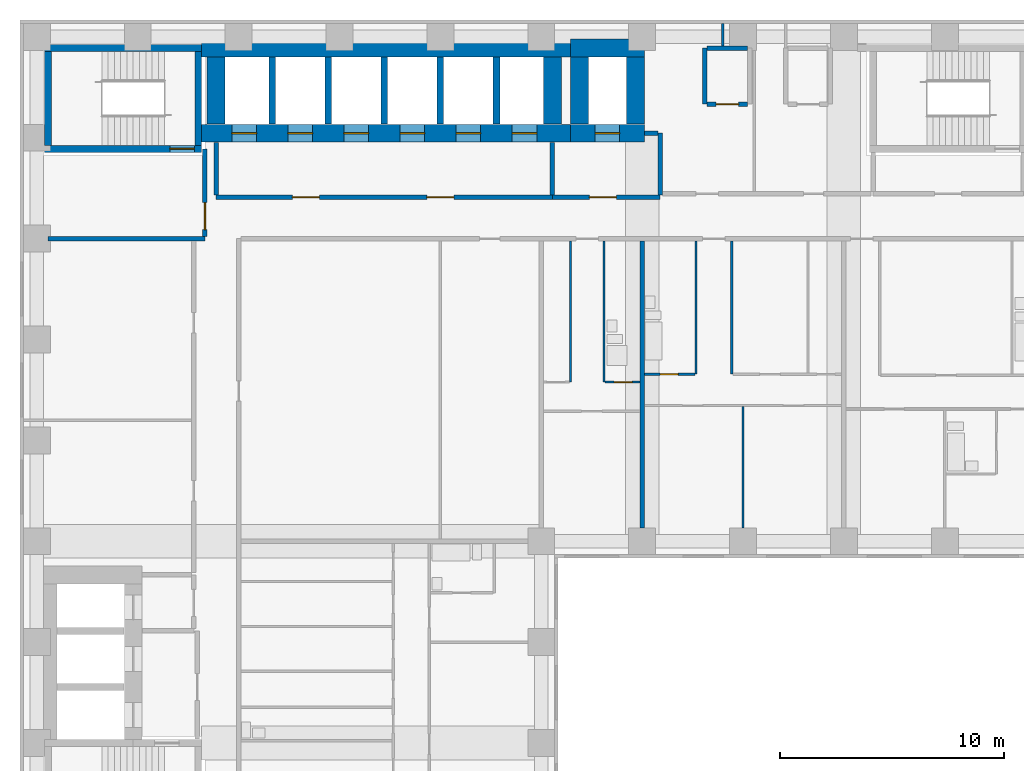
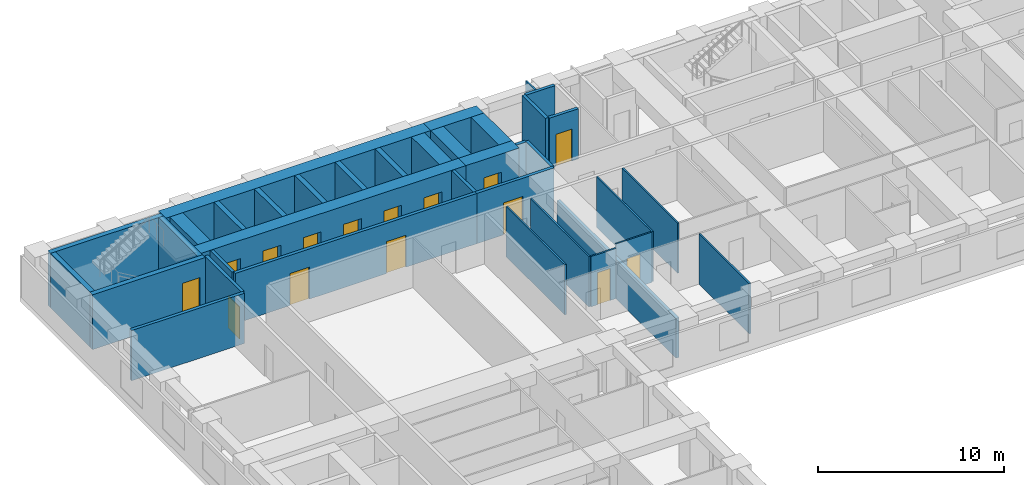
# One storey, part 5 of 12: 37 walls, 15 doors, 15 openings.
"""IFC4 building model written with IfcOpenShell, lengths in metres."""

from ifc_helpers import new_model, si_unit, direction, frame, frame_2d, origin, place, context, subcontext, project, spatial, rectangle, extrude, material, layer, layer_set, type_object, element, fill, save


model = new_model("IFC4")

# Units and contexts
model_context = context("Model", 3, precision=1e-05, world=origin(), true_north=direction((0.0, 1.0)))
body_context = subcontext(model_context, "Body", "Model", "MODEL_VIEW")
ifc_project = project(units=[si_unit("LENGTHUNIT", "METRE"), si_unit("AREAUNIT", "SQUARE_METRE"), si_unit("VOLUMEUNIT", "CUBIC_METRE"), si_unit("PLANEANGLEUNIT", "RADIAN"), si_unit("MASSUNIT", "GRAM", prefix="KILO")], contexts=[model_context])

# Site, building, storey
site_placement = place(None, origin())
site = spatial("IfcSite", under=ifc_project, at=site_placement, CompositionType="ELEMENT")
building_placement = place(site_placement, origin())
building = spatial("IfcBuilding", under=site, at=building_placement, Name="Firuza Court", CompositionType="ELEMENT")
storey_placement = place(building_placement, frame((0.0, 0.0, 101.0)))
storey = spatial("IfcBuildingStorey", under=building, at=storey_placement, Name="L25", CompositionType="ELEMENT", Elevation=101.0)

# Walls
ifc_material_1 = material(Name="Moisture-resistant gypsum board partition")
ifc_layer_1 = layer(ifc_material_1, 0.10009765625)
ifc_layer_set_1 = layer_set([ifc_layer_1], Name="Moisture-resistant gypsum board partition")
wall_type_1 = type_object("IfcWallType", Name="Bathroom partition 100", PredefinedType="PLUMBINGWALL", material=ifc_layer_set_1)
wall_1_placement = place(storey_placement, frame((25.300048828125, 43.10009765625, 0.0), z_axis=(0.0, 0.0, 1.0), x_axis=(0.0, 1.0, 0.0)))
element("IfcWall", 1, at=wall_1_placement, inside=storey, type_object=wall_type_1, Name="Bathroom partition 100 L25", PredefinedType="PLUMBINGWALL", context=body_context, shape_type="SweptSolid", body=[
    extrude(rectangle(XDim=6.2998046875, YDim=0.10009765625, at=frame_2d((3.14990234375, 0.0))), origin(), (0.0, 0.0, 1.0), 3.300048828125),
])
wall_2_placement = place(storey_placement, frame((29.39990234375, 43.449951171875, 0.0), z_axis=(0.0, 0.0, 1.0), x_axis=(0.0, 1.0, 0.0)))
element("IfcWall", 2, at=wall_2_placement, inside=storey, type_object=wall_type_1, Name="Bathroom partition 100 L25", PredefinedType="PLUMBINGWALL", context=body_context, shape_type="SweptSolid", body=[
    extrude(rectangle(XDim=5.949951171875, YDim=0.10009765625, at=frame_2d((2.97509765625, 0.0))), origin(), (0.0, 0.0, 1.0), 3.300048828125),
])

# Wall, opening, door
ifc_material_2 = material(Name="Concrete C60/75", Category="concrete")
ifc_layer_2 = layer(ifc_material_2, 0.300048828125)
ifc_layer_set_2 = layer_set([ifc_layer_2], Name="Concrete C60/75")
wall_type_2 = type_object("IfcWallType", Name="Core wall 300 C60/75", PredefinedType="SHEAR", material=ifc_layer_set_2)
wall_3_placement = place(storey_placement, frame((0.35009765625, 53.5, -0.300048828125), z_axis=(0.0, 0.0, 1.0), x_axis=(1.0, 0.0, 0.0)))
wall_3 = element("IfcWall", 3, at=wall_3_placement, inside=storey, type_object=wall_type_2, Name="Core wall stair L25", PredefinedType="SHEAR", context=body_context, shape_type="SweptSolid", body=[
    extrude(rectangle(XDim=7.0, YDim=0.300048828125, at=frame_2d((3.5, 0.0))), origin(), (0.0, 0.0, 1.0), 3.60009765625),
])
opening_1_placement = place(wall_3_placement, frame((5.580078125, 0.0, 0.300048828125)))
opening_1 = element("IfcOpeningElement", 4, at=opening_1_placement, cuts=wall_3, Name="Opening D25016", PredefinedType="OPENING", context=body_context, shape_type="SweptSolid", body=[
    extrude(rectangle(XDim=1.10009765625, YDim=2.10009765625, at=frame_2d((0.550048828125, 1.050048828125))), frame((0.0, 0.162109375, 0.0), z_axis=(0.0, -1.0, 0.0), x_axis=(1.0, 0.0, 0.0)), (0.0, 0.0, 1.0), 0.323974609375),
])
ifc_material_3 = material(Name="Timber door leaf in hardwood frame", Category="wood")
door_type_1 = type_object("IfcDoorType", Name="Stair door 1100", OperationType="SINGLE_SWING_LEFT", PredefinedType="DOOR", material=ifc_material_3)
door_1_placement = place(opening_1_placement, origin())
door_1 = element("IfcDoor", 5, at=door_1_placement, inside=storey, type_object=door_type_1, Name="Stair door S3", OperationType="SINGLE_SWING_RIGHT", OverallHeight=2.10009765625, OverallWidth=1.10009765625, PredefinedType="DOOR", context=body_context, shape_type="SweptSolid", body=[
    extrude(rectangle(XDim=1.10009765625, YDim=2.10009765625, at=frame_2d((0.550048828125, 1.050048828125))), frame((0.0, 0.02490234375, 0.0), z_axis=(0.0, -1.0, 0.0), x_axis=(1.0, 0.0, 0.0)), (0.0, 0.0, 1.0), 0.050048828125),
])
fill(opening_1, door_1)

# Walls
wall_4_placement = place(storey_placement, frame((0.35009765625, 58.0, -0.300048828125), z_axis=(0.0, 0.0, 1.0), x_axis=(1.0, 0.0, 0.0)))
element("IfcWall", 6, at=wall_4_placement, inside=storey, type_object=wall_type_2, Name="Core wall stair L25", PredefinedType="SHEAR", context=body_context, shape_type="SweptSolid", body=[
    extrude(rectangle(XDim=7.0, YDim=0.300048828125, at=frame_2d((3.5, 0.0))), origin(), (0.0, 0.0, 1.0), 3.60009765625),
])
for number, where, z_axis, x_axis, name in (
    (7, (0.5, 53.64990234375, -0.300048828125), (0.0, 0.0, 1.0), (0.0, 1.0, 0.0), "Core wall stair L25"),
    (8, (7.199951171875, 53.64990234375, -0.300048828125), (0.0, 0.0, 1.0), (0.0, 1.0, 0.0), "Core wall stair L25"),
):
    element("IfcWall", number, at=place(storey_placement, frame(where, z_axis=z_axis, x_axis=x_axis)), inside=storey, type_object=wall_type_2, Name=name, PredefinedType="SHEAR", context=body_context, shape_type="SweptSolid", body=[
        extrude(rectangle(XDim=4.2001953125, YDim=0.300048828125, at=frame_2d((2.10009765625, 0.0))), origin(), (0.0, 0.0, 1.0), 3.60009765625),
    ])
for number, where, z_axis, x_axis, name in (
    (9, (10.5, 54.60009765625, -0.300048828125), (0.0, 0.0, 1.0), (0.0, 1.0, 0.0), "Core wall lift shaft L25"),
    (10, (13.0, 54.60009765625, -0.300048828125), (0.0, 0.0, 1.0), (0.0, 1.0, 0.0), "Core wall lift shaft L25"),
    (11, (15.5, 54.60009765625, -0.300048828125), (0.0, 0.0, 1.0), (0.0, 1.0, 0.0), "Core wall lift shaft L25"),
    (12, (18.0, 54.60009765625, -0.300048828125), (0.0, 0.0, 1.0), (0.0, 1.0, 0.0), "Core wall lift shaft L25"),
    (13, (20.5, 54.60009765625, -0.300048828125), (0.0, 0.0, 1.0), (0.0, 1.0, 0.0), "Core wall lift shaft L25"),
):
    element("IfcWall", number, at=place(storey_placement, frame(where, z_axis=z_axis, x_axis=x_axis)), inside=storey, type_object=wall_type_2, Name=name, PredefinedType="SHEAR", context=body_context, shape_type="SweptSolid", body=[
        extrude(rectangle(XDim=3.0, YDim=0.300048828125, at=frame_2d((1.5, 0.0))), origin(), (0.0, 0.0, 1.0), 3.60009765625),
    ])

# Wall, openings, doors
ifc_layer_3 = layer(ifc_material_2, 0.800048828125)
ifc_layer_set_3 = layer_set([ifc_layer_3], Name="Concrete C60/75")
wall_type_3 = type_object("IfcWallType", Name="Core wall 800 C60/75", PredefinedType="SHEAR", material=ifc_layer_set_3)
wall_5_placement = place(storey_placement, frame((7.35009765625, 54.199951171875, -0.300048828125), z_axis=(0.0, 0.0, 1.0), x_axis=(1.0, 0.0, 0.0)))
wall_5 = element("IfcWall", 14, at=wall_5_placement, inside=storey, type_object=wall_type_3, Name="Core wall lift shaft L25", PredefinedType="SHEAR", context=body_context, shape_type="SweptSolid", body=[
    extrude(rectangle(XDim=16.449951171875, YDim=0.800048828125, at=frame_2d((8.22509765625, 0.0))), origin(), (0.0, 0.0, 1.0), 3.60009765625),
])
opening_2_placement = place(wall_5_placement, frame((1.35009765625, 0.0, 0.300048828125)))
opening_2 = element("IfcOpeningElement", 15, at=opening_2_placement, cuts=wall_5, Name="Opening LD-LB1-25", PredefinedType="OPENING", context=body_context, shape_type="SweptSolid", body=[
    extrude(rectangle(XDim=1.10009765625, YDim=2.10009765625, at=frame_2d((0.550048828125, 1.050048828125))), frame((0.0, 0.412109375, 0.0), z_axis=(0.0, -1.0, 0.0), x_axis=(1.0, 0.0, 0.0)), (0.0, 0.0, 1.0), 0.823974609375),
])
opening_3_placement = place(wall_5_placement, frame((3.85009765625, 0.0, 0.300048828125)))
opening_3 = element("IfcOpeningElement", 16, at=opening_3_placement, cuts=wall_5, Name="Opening LD-LB2-25", PredefinedType="OPENING", context=body_context, shape_type="SweptSolid", body=[
    extrude(rectangle(XDim=1.10009765625, YDim=2.10009765625, at=frame_2d((0.550048828125, 1.050048828125))), frame((0.0, 0.412109375, 0.0), z_axis=(0.0, -1.0, 0.0), x_axis=(1.0, 0.0, 0.0)), (0.0, 0.0, 1.0), 0.823974609375),
])
opening_4_placement = place(wall_5_placement, frame((6.35009765625, 0.0, 0.300048828125)))
opening_4 = element("IfcOpeningElement", 17, at=opening_4_placement, cuts=wall_5, Name="Opening LD-LB3-25", PredefinedType="OPENING", context=body_context, shape_type="SweptSolid", body=[
    extrude(rectangle(XDim=1.10009765625, YDim=2.10009765625, at=frame_2d((0.550048828125, 1.050048828125))), frame((0.0, 0.412109375, 0.0), z_axis=(0.0, -1.0, 0.0), x_axis=(1.0, 0.0, 0.0)), (0.0, 0.0, 1.0), 0.823974609375),
])
opening_5_placement = place(wall_5_placement, frame((8.85009765625, 0.0, 0.300048828125)))
opening_5 = element("IfcOpeningElement", 18, at=opening_5_placement, cuts=wall_5, Name="Opening LD-LB4-25", PredefinedType="OPENING", context=body_context, shape_type="SweptSolid", body=[
    extrude(rectangle(XDim=1.10009765625, YDim=2.10009765625, at=frame_2d((0.550048828125, 1.050048828125))), frame((0.0, 0.412109375, 0.0), z_axis=(0.0, -1.0, 0.0), x_axis=(1.0, 0.0, 0.0)), (0.0, 0.0, 1.0), 0.823974609375),
])
opening_6_placement = place(wall_5_placement, frame((11.35009765625, 0.0, 0.300048828125)))
opening_6 = element("IfcOpeningElement", 19, at=opening_6_placement, cuts=wall_5, Name="Opening LD-LB5-25", PredefinedType="OPENING", context=body_context, shape_type="SweptSolid", body=[
    extrude(rectangle(XDim=1.10009765625, YDim=2.10009765625, at=frame_2d((0.550048828125, 1.050048828125))), frame((0.0, 0.412109375, 0.0), z_axis=(0.0, -1.0, 0.0), x_axis=(1.0, 0.0, 0.0)), (0.0, 0.0, 1.0), 0.823974609375),
])
opening_7_placement = place(wall_5_placement, frame((13.85009765625, 0.0, 0.300048828125)))
opening_7 = element("IfcOpeningElement", 20, at=opening_7_placement, cuts=wall_5, Name="Opening LD-LB6-25", PredefinedType="OPENING", context=body_context, shape_type="SweptSolid", body=[
    extrude(rectangle(XDim=1.10009765625, YDim=2.10009765625, at=frame_2d((0.550048828125, 1.050048828125))), frame((0.0, 0.412109375, 0.0), z_axis=(0.0, -1.0, 0.0), x_axis=(1.0, 0.0, 0.0)), (0.0, 0.0, 1.0), 0.823974609375),
])
ifc_material_4 = material(Name="Stainless steel 1.4301 door leaf", Category="steel")
door_type_2 = type_object("IfcDoorType", Name="Lift landing door 1100", OperationType="SLIDING_TO_LEFT", PredefinedType="DOOR", material=ifc_material_4)
door_2_placement = place(opening_2_placement, origin())
door_2 = element("IfcDoor", 21, at=door_2_placement, inside=storey, type_object=door_type_2, Name="Landing door LB1", OperationType="SLIDING_TO_LEFT", OverallHeight=2.10009765625, OverallWidth=1.10009765625, PredefinedType="DOOR", context=body_context, shape_type="SweptSolid", body=[
    extrude(rectangle(XDim=1.10009765625, YDim=2.10009765625, at=frame_2d((0.550048828125, 1.050048828125))), frame((0.0, 0.02490234375, 0.0), z_axis=(0.0, -1.0, 0.0), x_axis=(1.0, 0.0, 0.0)), (0.0, 0.0, 1.0), 0.050048828125),
])
fill(opening_2, door_2)
door_3_placement = place(opening_3_placement, origin())
door_3 = element("IfcDoor", 22, at=door_3_placement, inside=storey, type_object=door_type_2, Name="Landing door LB2", OperationType="SLIDING_TO_LEFT", OverallHeight=2.10009765625, OverallWidth=1.10009765625, PredefinedType="DOOR", context=body_context, shape_type="SweptSolid", body=[
    extrude(rectangle(XDim=1.10009765625, YDim=2.10009765625, at=frame_2d((0.550048828125, 1.050048828125))), frame((0.0, 0.02490234375, 0.0), z_axis=(0.0, -1.0, 0.0), x_axis=(1.0, 0.0, 0.0)), (0.0, 0.0, 1.0), 0.050048828125),
])
fill(opening_3, door_3)
door_4_placement = place(opening_4_placement, origin())
door_4 = element("IfcDoor", 23, at=door_4_placement, inside=storey, type_object=door_type_2, Name="Landing door LB3", OperationType="SLIDING_TO_LEFT", OverallHeight=2.10009765625, OverallWidth=1.10009765625, PredefinedType="DOOR", context=body_context, shape_type="SweptSolid", body=[
    extrude(rectangle(XDim=1.10009765625, YDim=2.10009765625, at=frame_2d((0.550048828125, 1.050048828125))), frame((0.0, 0.02490234375, 0.0), z_axis=(0.0, -1.0, 0.0), x_axis=(1.0, 0.0, 0.0)), (0.0, 0.0, 1.0), 0.050048828125),
])
fill(opening_4, door_4)
door_5_placement = place(opening_5_placement, origin())
door_5 = element("IfcDoor", 24, at=door_5_placement, inside=storey, type_object=door_type_2, Name="Landing door LB4", OperationType="SLIDING_TO_LEFT", OverallHeight=2.10009765625, OverallWidth=1.10009765625, PredefinedType="DOOR", context=body_context, shape_type="SweptSolid", body=[
    extrude(rectangle(XDim=1.10009765625, YDim=2.10009765625, at=frame_2d((0.550048828125, 1.050048828125))), frame((0.0, 0.02490234375, 0.0), z_axis=(0.0, -1.0, 0.0), x_axis=(1.0, 0.0, 0.0)), (0.0, 0.0, 1.0), 0.050048828125),
])
fill(opening_5, door_5)
door_6_placement = place(opening_6_placement, origin())
door_6 = element("IfcDoor", 25, at=door_6_placement, inside=storey, type_object=door_type_2, Name="Landing door LB5", OperationType="SLIDING_TO_LEFT", OverallHeight=2.10009765625, OverallWidth=1.10009765625, PredefinedType="DOOR", context=body_context, shape_type="SweptSolid", body=[
    extrude(rectangle(XDim=1.10009765625, YDim=2.10009765625, at=frame_2d((0.550048828125, 1.050048828125))), frame((0.0, 0.02490234375, 0.0), z_axis=(0.0, -1.0, 0.0), x_axis=(1.0, 0.0, 0.0)), (0.0, 0.0, 1.0), 0.050048828125),
])
fill(opening_6, door_6)
door_7_placement = place(opening_7_placement, origin())
door_7 = element("IfcDoor", 26, at=door_7_placement, inside=storey, type_object=door_type_2, Name="Landing door LB6", OperationType="SLIDING_TO_LEFT", OverallHeight=2.10009765625, OverallWidth=1.10009765625, PredefinedType="DOOR", context=body_context, shape_type="SweptSolid", body=[
    extrude(rectangle(XDim=1.10009765625, YDim=2.10009765625, at=frame_2d((0.550048828125, 1.050048828125))), frame((0.0, 0.02490234375, 0.0), z_axis=(0.0, -1.0, 0.0), x_axis=(1.0, 0.0, 0.0)), (0.0, 0.0, 1.0), 0.050048828125),
])
fill(opening_7, door_7)

# Walls
wall_6_placement = place(storey_placement, frame((7.35009765625, 58.0, -0.300048828125), z_axis=(0.0, 0.0, 1.0), x_axis=(1.0, 0.0, 0.0)))
element("IfcWall", 27, at=wall_6_placement, inside=storey, type_object=wall_type_3, Name="Core wall lift shaft L25", PredefinedType="SHEAR", context=body_context, shape_type="SweptSolid", body=[
    extrude(rectangle(XDim=16.449951171875, YDim=0.800048828125, at=frame_2d((8.22509765625, 0.0))), origin(), (0.0, 0.0, 1.0), 3.60009765625),
])
for number, where, z_axis, x_axis, name in (
    (28, (8.0, 54.60009765625, -0.300048828125), (0.0, 0.0, 1.0), (0.0, 1.0, 0.0), "Core wall lift shaft L25"),
    (29, (23.0, 54.60009765625, -0.300048828125), (0.0, 0.0, 1.0), (0.0, 1.0, 0.0), "Core wall lift shaft L25"),
):
    element("IfcWall", number, at=place(storey_placement, frame(where, z_axis=z_axis, x_axis=x_axis)), inside=storey, type_object=wall_type_3, Name=name, PredefinedType="SHEAR", context=body_context, shape_type="SweptSolid", body=[
        extrude(rectangle(XDim=3.0, YDim=0.800048828125, at=frame_2d((1.5, 0.0))), origin(), (0.0, 0.0, 1.0), 3.60009765625),
    ])

# Wall, opening, door
wall_7_placement = place(storey_placement, frame((23.800048828125, 54.199951171875, -0.300048828125), z_axis=(0.0, 0.0, 1.0), x_axis=(1.0, 0.0, 0.0)))
wall_7 = element("IfcWall", 30, at=wall_7_placement, inside=storey, type_object=wall_type_3, Name="Core wall lift shaft L25", PredefinedType="SHEAR", context=body_context, shape_type="SweptSolid", body=[
    extrude(rectangle(XDim=3.300048828125, YDim=0.800048828125, at=frame_2d((1.64990234375, 0.0))), origin(), (0.0, 0.0, 1.0), 3.60009765625),
])
opening_8_placement = place(wall_7_placement, frame((1.10009765625, 0.0, 0.300048828125)))
opening_8 = element("IfcOpeningElement", 31, at=opening_8_placement, cuts=wall_7, Name="Opening LD-FL3-25", PredefinedType="OPENING", context=body_context, shape_type="SweptSolid", body=[
    extrude(rectangle(XDim=1.10009765625, YDim=2.10009765625, at=frame_2d((0.550048828125, 1.050048828125))), frame((0.0, 0.412109375, 0.0), z_axis=(0.0, -1.0, 0.0), x_axis=(1.0, 0.0, 0.0)), (0.0, 0.0, 1.0), 0.823974609375),
])
door_8_placement = place(opening_8_placement, origin())
door_8 = element("IfcDoor", 32, at=door_8_placement, inside=storey, type_object=door_type_2, Name="Landing door FL3", OperationType="SLIDING_TO_LEFT", OverallHeight=2.10009765625, OverallWidth=1.10009765625, PredefinedType="DOOR", context=body_context, shape_type="SweptSolid", body=[
    extrude(rectangle(XDim=1.10009765625, YDim=2.10009765625, at=frame_2d((0.550048828125, 1.050048828125))), frame((0.0, 0.02490234375, 0.0), z_axis=(0.0, -1.0, 0.0), x_axis=(1.0, 0.0, 0.0)), (0.0, 0.0, 1.0), 0.050048828125),
])
fill(opening_8, door_8)

# Walls
wall_8_placement = place(storey_placement, frame((23.800048828125, 58.0, -0.300048828125), z_axis=(0.0, 0.0, 1.0), x_axis=(1.0, 0.0, 0.0)))
element("IfcWall", 33, at=wall_8_placement, inside=storey, type_object=wall_type_3, Name="Core wall lift shaft L25", PredefinedType="SHEAR", context=body_context, shape_type="SweptSolid", body=[
    extrude(rectangle(XDim=3.300048828125, YDim=0.800048828125, at=frame_2d((1.64990234375, 0.0))), origin(), (0.0, 0.0, 1.0), 3.60009765625),
])
for number, where, z_axis, x_axis, name in (
    (34, (24.199951171875, 54.60009765625, -0.300048828125), (0.0, 0.0, 1.0), (0.0, 1.0, 0.0), "Core wall lift shaft L25"),
    (35, (26.699951171875, 54.60009765625, -0.300048828125), (0.0, 0.0, 1.0), (0.0, 1.0, 0.0), "Core wall lift shaft L25"),
):
    element("IfcWall", number, at=place(storey_placement, frame(where, z_axis=z_axis, x_axis=x_axis)), inside=storey, type_object=wall_type_3, Name=name, PredefinedType="SHEAR", context=body_context, shape_type="SweptSolid", body=[
        extrude(rectangle(XDim=3.0, YDim=0.800048828125, at=frame_2d((1.5, 0.0))), origin(), (0.0, 0.0, 1.0), 3.60009765625),
    ])
ifc_material_5 = material(Name="Timber stud partition, plasterboard both sides", Category="wood")
ifc_layer_4 = layer(ifc_material_5, 0.10009765625)
ifc_layer_set_4 = layer_set([ifc_layer_4], Name="Timber stud partition, plasterboard both sides")
wall_type_4 = type_object("IfcWallType", Name="Partition wall 100", PredefinedType="PARTITIONING", material=ifc_layer_set_4)
wall_9_placement = place(storey_placement, frame((31.5, 36.60009765625, 0.0), z_axis=(0.0, 0.0, 1.0), x_axis=(0.0, 1.0, 0.0)))
element("IfcWall", 36, at=wall_9_placement, inside=storey, type_object=wall_type_4, Name="Partition wall 100 L25", PredefinedType="PARTITIONING", context=body_context, shape_type="SweptSolid", body=[
    extrude(rectangle(XDim=5.39990234375, YDim=0.10009765625, at=frame_2d((2.699951171875, 0.0))), origin(), (0.0, 0.0, 1.0), 3.300048828125),
])
wall_10_placement = place(storey_placement, frame((23.800048828125, 43.10009765625, 0.0), z_axis=(0.0, 0.0, 1.0), x_axis=(0.0, 1.0, 0.0)))
element("IfcWall", 37, at=wall_10_placement, inside=storey, type_object=wall_type_4, Name="Partition wall 100 L25", PredefinedType="PARTITIONING", context=body_context, shape_type="SweptSolid", body=[
    extrude(rectangle(XDim=6.2998046875, YDim=0.10009765625, at=frame_2d((3.14990234375, 0.0))), origin(), (0.0, 0.0, 1.0), 3.300048828125),
])

# Wall, opening, door
wall_11_placement = place(storey_placement, frame((25.35009765625, 43.10009765625, 0.0), z_axis=(0.0, 0.0, 1.0), x_axis=(1.0, 0.0, 0.0)))
wall_11 = element("IfcWall", 38, at=wall_11_placement, inside=storey, type_object=wall_type_4, Name="Partition wall 100 L25", PredefinedType="PARTITIONING", context=body_context, shape_type="SweptSolid", body=[
    extrude(rectangle(XDim=1.5498046875, YDim=0.10009765625, at=frame_2d((0.77490234375, 0.0))), origin(), (0.0, 0.0, 1.0), 3.300048828125),
])
opening_9_placement = place(wall_11_placement, frame((0.39990234375, 0.0, 0.0)))
opening_9 = element("IfcOpeningElement", 39, at=opening_9_placement, cuts=wall_11, Name="Opening D25054", PredefinedType="OPENING", context=body_context, shape_type="SweptSolid", body=[
    extrude(rectangle(XDim=0.800048828125, YDim=2.10009765625, at=frame_2d((0.39990234375, 1.050048828125))), frame((0.0, 0.06201171875, 0.0), z_axis=(0.0, -1.0, 0.0), x_axis=(1.0, 0.0, 0.0)), (0.0, 0.0, 1.0), 0.1240234375),
])
ifc_material_6 = material(Name="Timber door leaf in hardwood frame", Category="wood")
door_type_3 = type_object("IfcDoorType", Name="Bathroom door 800", OperationType="SINGLE_SWING_LEFT", PredefinedType="DOOR", material=ifc_material_6)
door_9_placement = place(opening_9_placement, origin())
door_9 = element("IfcDoor", 40, at=door_9_placement, inside=storey, type_object=door_type_3, Name="Bathroom door", OperationType="SINGLE_SWING_LEFT", OverallHeight=2.10009765625, OverallWidth=0.800048828125, PredefinedType="DOOR", context=body_context, shape_type="SweptSolid", body=[
    extrude(rectangle(XDim=0.800048828125, YDim=2.10009765625, at=frame_2d((0.39990234375, 1.050048828125))), frame((0.0, 0.02490234375, 0.0), z_axis=(0.0, -1.0, 0.0), x_axis=(1.0, 0.0, 0.0)), (0.0, 0.0, 1.0), 0.050048828125),
])
fill(opening_9, door_9)

wall_12_placement = place(storey_placement, frame((27.10009765625, 43.449951171875, 0.0), z_axis=(0.0, 0.0, 1.0), x_axis=(1.0, 0.0, 0.0)))
wall_12 = element("IfcWall", 41, at=wall_12_placement, inside=storey, type_object=wall_type_4, Name="Partition wall 100 L25", PredefinedType="PARTITIONING", context=body_context, shape_type="SweptSolid", body=[
    extrude(rectangle(XDim=2.25, YDim=0.10009765625, at=frame_2d((1.125, 0.0))), origin(), (0.0, 0.0, 1.0), 3.300048828125),
])
opening_10_placement = place(wall_12_placement, frame((0.699951171875, 0.0, 0.0)))
opening_10 = element("IfcOpeningElement", 42, at=opening_10_placement, cuts=wall_12, Name="Opening D25059", PredefinedType="OPENING", context=body_context, shape_type="SweptSolid", body=[
    extrude(rectangle(XDim=0.800048828125, YDim=2.10009765625, at=frame_2d((0.39990234375, 1.050048828125))), frame((0.0, 0.06201171875, 0.0), z_axis=(0.0, -1.0, 0.0), x_axis=(1.0, 0.0, 0.0)), (0.0, 0.0, 1.0), 0.1240234375),
])
door_10_placement = place(opening_10_placement, origin())
door_10 = element("IfcDoor", 43, at=door_10_placement, inside=storey, type_object=door_type_3, Name="Bathroom door", OperationType="SINGLE_SWING_LEFT", OverallHeight=2.10009765625, OverallWidth=0.800048828125, PredefinedType="DOOR", context=body_context, shape_type="SweptSolid", body=[
    extrude(rectangle(XDim=0.800048828125, YDim=2.10009765625, at=frame_2d((0.39990234375, 1.050048828125))), frame((0.0, 0.02490234375, 0.0), z_axis=(0.0, -1.0, 0.0), x_axis=(1.0, 0.0, 0.0)), (0.0, 0.0, 1.0), 0.050048828125),
])
fill(opening_10, door_10)

# Walls
wall_13_placement = place(storey_placement, frame((31.0, 43.449951171875, 0.0), z_axis=(0.0, 0.0, 1.0), x_axis=(0.0, 1.0, 0.0)))
element("IfcWall", 44, at=wall_13_placement, inside=storey, type_object=wall_type_4, Name="Partition wall 100 L25", PredefinedType="PARTITIONING", context=body_context, shape_type="SweptSolid", body=[
    extrude(rectangle(XDim=5.949951171875, YDim=0.10009765625, at=frame_2d((2.97509765625, 0.0))), origin(), (0.0, 0.0, 1.0), 3.300048828125),
])
wall_14_placement = place(storey_placement, frame((30.60009765625, 58.10009765625, 0.0), z_axis=(0.0, 0.0, 1.0), x_axis=(0.0, 1.0, 0.0)))
element("IfcWall", 45, at=wall_14_placement, inside=storey, type_object=wall_type_4, Name="Partition wall 100 L25", PredefinedType="PARTITIONING", context=body_context, shape_type="SweptSolid", body=[
    extrude(rectangle(XDim=1.0, YDim=0.10009765625, at=frame_2d((0.5, 0.0))), origin(), (0.0, 0.0, 1.0), 3.300048828125),
])
ifc_material_7 = material(Name="Blockwork, plastered both sides", Category="masonry")
ifc_layer_5 = layer(ifc_material_7, 0.199951171875)
ifc_layer_set_5 = layer_set([ifc_layer_5], Name="Blockwork, plastered both sides")
wall_type_5 = type_object("IfcWallType", Name="Party wall 200", PredefinedType="PARTITIONING", material=ifc_layer_set_5)
wall_15_placement = place(storey_placement, frame((27.0, 36.60009765625, 0.0), z_axis=(0.0, 0.0, 1.0), x_axis=(0.0, 1.0, 0.0)))
element("IfcWall", 46, at=wall_15_placement, inside=storey, type_object=wall_type_5, Name="Party wall 200 L25", PredefinedType="PARTITIONING", context=body_context, shape_type="SweptSolid", body=[
    extrude(rectangle(XDim=12.7998046875, YDim=0.199951171875, at=frame_2d((6.39990234375, 0.0))), origin(), (0.0, 0.0, 1.0), 2.60009765625),
])
ifc_material_8 = material(Name="Blockwork, fire-rated", Category="masonry")
ifc_layer_6 = layer(ifc_material_8, 0.199951171875)
ifc_layer_set_6 = layer_set([ifc_layer_6], Name="Blockwork, fire-rated")
wall_type_6 = type_object("IfcWallType", Name="Plant room wall 200", PredefinedType="PARTITIONING", material=ifc_layer_set_6)
wall_16_placement = place(storey_placement, frame((29.800048828125, 55.5, 0.0), z_axis=(0.0, 0.0, 1.0), x_axis=(0.0, 1.0, 0.0)))
element("IfcWall", 47, at=wall_16_placement, inside=storey, type_object=wall_type_6, Name="Plant room wall 200 L25", PredefinedType="PARTITIONING", context=body_context, shape_type="SweptSolid", body=[
    extrude(rectangle(XDim=2.5, YDim=0.199951171875, at=frame_2d((1.25, 0.0))), origin(), (0.0, 0.0, 1.0), 3.300048828125),
])

# Wall, opening, door
wall_17_placement = place(storey_placement, frame((29.89990234375, 55.5, 0.0), z_axis=(0.0, 0.0, 1.0), x_axis=(1.0, 0.0, 0.0)))
wall_17 = element("IfcWall", 48, at=wall_17_placement, inside=storey, type_object=wall_type_6, Name="Plant room wall 200 L25", PredefinedType="PARTITIONING", context=body_context, shape_type="SweptSolid", body=[
    extrude(rectangle(XDim=1.800048828125, YDim=0.199951171875, at=frame_2d((0.89990234375, 0.0))), origin(), (0.0, 0.0, 1.0), 3.300048828125),
])
opening_11_placement = place(wall_17_placement, frame((0.39990234375, 0.0, 0.0)))
opening_11 = element("IfcOpeningElement", 49, at=opening_11_placement, cuts=wall_17, Name="Opening D25079", PredefinedType="OPENING", context=body_context, shape_type="SweptSolid", body=[
    extrude(rectangle(XDim=1.0, YDim=2.10009765625, at=frame_2d((0.5, 1.050048828125))), frame((0.0, 0.11181640625, 0.0), z_axis=(0.0, -1.0, 0.0), x_axis=(1.0, 0.0, 0.0)), (0.0, 0.0, 1.0), 0.223876953125),
])
ifc_material_9 = material(Name="Timber door leaf in hardwood frame", Category="wood")
door_type_4 = type_object("IfcDoorType", Name="Riser door 1000", OperationType="SINGLE_SWING_LEFT", PredefinedType="DOOR", material=ifc_material_9)
door_11_placement = place(opening_11_placement, origin())
door_11 = element("IfcDoor", 50, at=door_11_placement, inside=storey, type_object=door_type_4, Name="Electrical riser door", OperationType="SINGLE_SWING_LEFT", OverallHeight=2.10009765625, OverallWidth=1.0, PredefinedType="DOOR", context=body_context, shape_type="SweptSolid", body=[
    extrude(rectangle(XDim=1.0, YDim=2.10009765625, at=frame_2d((0.5, 1.050048828125))), frame((0.0, 0.02490234375, 0.0), z_axis=(0.0, -1.0, 0.0), x_axis=(1.0, 0.0, 0.0)), (0.0, 0.0, 1.0), 0.050048828125),
])
fill(opening_11, door_11)

# Wall
wall_18_placement = place(storey_placement, frame((29.89990234375, 58.0, 0.0), z_axis=(0.0, 0.0, 1.0), x_axis=(1.0, 0.0, 0.0)))
element("IfcWall", 51, at=wall_18_placement, inside=storey, type_object=wall_type_6, Name="Plant room wall 200 L25", PredefinedType="PARTITIONING", context=body_context, shape_type="SweptSolid", body=[
    extrude(rectangle(XDim=1.800048828125, YDim=0.199951171875, at=frame_2d((0.89990234375, 0.0))), origin(), (0.0, 0.0, 1.0), 3.300048828125),
])

# Wall, openings, doors
ifc_layer_7 = layer(ifc_material_8, 0.199951171875)
ifc_layer_set_7 = layer_set([ifc_layer_7], Name="Blockwork, fire-rated")
wall_type_7 = type_object("IfcWallType", Name="Shaft wall 200", PredefinedType="PARTITIONING", material=ifc_layer_set_7)
wall_19_placement = place(storey_placement, frame((8.0, 51.35009765625, 0.0), z_axis=(0.0, 0.0, 1.0), x_axis=(1.0, 0.0, 0.0)))
wall_19 = element("IfcWall", 52, at=wall_19_placement, inside=storey, type_object=wall_type_7, Name="Shaft wall 200 L25", PredefinedType="PARTITIONING", context=body_context, shape_type="SweptSolid", body=[
    extrude(rectangle(XDim=15.0, YDim=0.199951171875, at=frame_2d((7.5, 0.0))), origin(), (0.0, 0.0, 1.0), 3.300048828125),
])
opening_12_placement = place(wall_19_placement, frame((3.39990234375, 0.0, 0.0)))
opening_12 = element("IfcOpeningElement", 53, at=opening_12_placement, cuts=wall_19, Name="Opening D25004", PredefinedType="OPENING", context=body_context, shape_type="SweptSolid", body=[
    extrude(rectangle(XDim=1.199951171875, YDim=2.10009765625, at=frame_2d((0.60009765625, 1.050048828125))), frame((0.0, 0.11181640625, 0.0), z_axis=(0.0, -1.0, 0.0), x_axis=(1.0, 0.0, 0.0)), (0.0, 0.0, 1.0), 0.223876953125),
])
opening_13_placement = place(wall_19_placement, frame((9.39990234375, 0.0, 0.0)))
opening_13 = element("IfcOpeningElement", 54, at=opening_13_placement, cuts=wall_19, Name="Opening D25005", PredefinedType="OPENING", context=body_context, shape_type="SweptSolid", body=[
    extrude(rectangle(XDim=1.199951171875, YDim=2.10009765625, at=frame_2d((0.60009765625, 1.050048828125))), frame((0.0, 0.11181640625, 0.0), z_axis=(0.0, -1.0, 0.0), x_axis=(1.0, 0.0, 0.0)), (0.0, 0.0, 1.0), 0.223876953125),
])
ifc_material_10 = material(Name="Timber door leaf in hardwood frame", Category="wood")
door_type_5 = type_object("IfcDoorType", Name="Lobby door 1200", OperationType="SINGLE_SWING_LEFT", PredefinedType="DOOR", material=ifc_material_10)
door_12_placement = place(opening_12_placement, origin())
door_12 = element("IfcDoor", 55, at=door_12_placement, inside=storey, type_object=door_type_5, Name="Lobby door", OperationType="SINGLE_SWING_LEFT", OverallHeight=2.10009765625, OverallWidth=1.199951171875, PredefinedType="DOOR", context=body_context, shape_type="SweptSolid", body=[
    extrude(rectangle(XDim=1.199951171875, YDim=2.10009765625, at=frame_2d((0.60009765625, 1.050048828125))), frame((0.0, 0.02490234375, 0.0), z_axis=(0.0, -1.0, 0.0), x_axis=(1.0, 0.0, 0.0)), (0.0, 0.0, 1.0), 0.050048828125),
])
fill(opening_12, door_12)
door_13_placement = place(opening_13_placement, origin())
door_13 = element("IfcDoor", 56, at=door_13_placement, inside=storey, type_object=door_type_5, Name="Lobby door", OperationType="SINGLE_SWING_RIGHT", OverallHeight=2.10009765625, OverallWidth=1.199951171875, PredefinedType="DOOR", context=body_context, shape_type="SweptSolid", body=[
    extrude(rectangle(XDim=1.199951171875, YDim=2.10009765625, at=frame_2d((0.60009765625, 1.050048828125))), frame((0.0, 0.02490234375, 0.0), z_axis=(0.0, -1.0, 0.0), x_axis=(1.0, 0.0, 0.0)), (0.0, 0.0, 1.0), 0.050048828125),
])
fill(opening_13, door_13)

# Walls
for number, where, z_axis, x_axis, name in (
    (57, (23.0, 51.449951171875, 0.0), (0.0, 0.0, 1.0), (0.0, 1.0, 0.0), "Shaft wall 200 L25"),
    (58, (8.0, 51.449951171875, 0.0), (0.0, 0.0, 1.0), (0.0, 1.0, 0.0), "Shaft wall 200 L25"),
):
    element("IfcWall", number, at=place(storey_placement, frame(where, z_axis=z_axis, x_axis=x_axis)), inside=storey, type_object=wall_type_7, Name=name, PredefinedType="PARTITIONING", context=body_context, shape_type="SweptSolid", body=[
        extrude(rectangle(XDim=2.330078125, YDim=0.199951171875, at=frame_2d((1.1650390625, 0.0))), origin(), (0.0, 0.0, 1.0), 3.300048828125),
    ])

# Wall, opening, door
wall_20_placement = place(storey_placement, frame((23.0, 51.35009765625, 0.0), z_axis=(0.0, 0.0, 1.0), x_axis=(1.0, 0.0, 0.0)))
wall_20 = element("IfcWall", 59, at=wall_20_placement, inside=storey, type_object=wall_type_7, Name="Shaft wall 200 L25", PredefinedType="PARTITIONING", context=body_context, shape_type="SweptSolid", body=[
    extrude(rectangle(XDim=4.800048828125, YDim=0.199951171875, at=frame_2d((2.39990234375, 0.0))), origin(), (0.0, 0.0, 1.0), 3.300048828125),
])
opening_14_placement = place(wall_20_placement, frame((1.64990234375, 0.0, 0.0)))
opening_14 = element("IfcOpeningElement", 60, at=opening_14_placement, cuts=wall_20, Name="Opening D25003", PredefinedType="OPENING", context=body_context, shape_type="SweptSolid", body=[
    extrude(rectangle(XDim=1.199951171875, YDim=2.10009765625, at=frame_2d((0.60009765625, 1.050048828125))), frame((0.0, 0.11181640625, 0.0), z_axis=(0.0, -1.0, 0.0), x_axis=(1.0, 0.0, 0.0)), (0.0, 0.0, 1.0), 0.223876953125),
])
door_14_placement = place(opening_14_placement, origin())
door_14 = element("IfcDoor", 61, at=door_14_placement, inside=storey, type_object=door_type_5, Name="Fire-fighting lobby door", OperationType="SINGLE_SWING_LEFT", OverallHeight=2.10009765625, OverallWidth=1.199951171875, PredefinedType="DOOR", context=body_context, shape_type="SweptSolid", body=[
    extrude(rectangle(XDim=1.199951171875, YDim=2.10009765625, at=frame_2d((0.60009765625, 1.050048828125))), frame((0.0, 0.02490234375, 0.0), z_axis=(0.0, -1.0, 0.0), x_axis=(1.0, 0.0, 0.0)), (0.0, 0.0, 1.0), 0.050048828125),
])
fill(opening_14, door_14)

# Walls
wall_21_placement = place(storey_placement, frame((27.800048828125, 51.449951171875, 0.0), z_axis=(0.0, 0.0, 1.0), x_axis=(0.0, 1.0, 0.0)))
element("IfcWall", 62, at=wall_21_placement, inside=storey, type_object=wall_type_7, Name="Shaft wall 200 L25", PredefinedType="PARTITIONING", context=body_context, shape_type="SweptSolid", body=[
    extrude(rectangle(XDim=2.75, YDim=0.199951171875, at=frame_2d((1.375, 0.0))), origin(), (0.0, 0.0, 1.0), 3.300048828125),
])
wall_22_placement = place(storey_placement, frame((27.10009765625, 54.199951171875, 0.0), z_axis=(0.0, 0.0, 1.0), x_axis=(1.0, 0.0, 0.0)))
element("IfcWall", 63, at=wall_22_placement, inside=storey, type_object=wall_type_7, Name="Shaft wall 200 L25", PredefinedType="PARTITIONING", context=body_context, shape_type="SweptSolid", body=[
    extrude(rectangle(XDim=0.599853515625, YDim=0.199951171875, at=frame_2d((0.2998046875, 0.0))), origin(), (0.0, 0.0, 1.0), 3.300048828125),
])
wall_23_placement = place(storey_placement, frame((0.5, 49.5, 0.0), z_axis=(0.0, 0.0, 1.0), x_axis=(1.0, 0.0, 0.0)))
element("IfcWall", 64, at=wall_23_placement, inside=storey, type_object=wall_type_7, Name="Shaft wall 200 L25", PredefinedType="PARTITIONING", context=body_context, shape_type="SweptSolid", body=[
    extrude(rectangle(XDim=7.0, YDim=0.199951171875, at=frame_2d((3.5, 0.0))), origin(), (0.0, 0.0, 1.0), 3.300048828125),
])

# Wall, opening, door
wall_24_placement = place(storey_placement, frame((7.5, 49.60009765625, 0.0), z_axis=(0.0, 0.0, 1.0), x_axis=(0.0, 1.0, 0.0)))
wall_24 = element("IfcWall", 65, at=wall_24_placement, inside=storey, type_object=wall_type_7, Name="Shaft wall 200 L25", PredefinedType="PARTITIONING", context=body_context, shape_type="SweptSolid", body=[
    extrude(rectangle(XDim=3.89990234375, YDim=0.199951171875, at=frame_2d((1.949951171875, 0.0))), origin(), (0.0, 0.0, 1.0), 3.300048828125),
])
opening_15_placement = place(wall_24_placement, frame((0.300048828125, 0.0, 0.0)))
opening_15 = element("IfcOpeningElement", 66, at=opening_15_placement, cuts=wall_24, Name="Opening D25001", PredefinedType="OPENING", context=body_context, shape_type="SweptSolid", body=[
    extrude(rectangle(XDim=1.199951171875, YDim=2.10009765625, at=frame_2d((0.60009765625, 1.050048828125))), frame((0.0, 0.11181640625, 0.0), z_axis=(0.0, -1.0, 0.0), x_axis=(1.0, 0.0, 0.0)), (0.0, 0.0, 1.0), 0.223876953125),
])
door_15_placement = place(opening_15_placement, origin())
door_15 = element("IfcDoor", 67, at=door_15_placement, inside=storey, type_object=door_type_5, Name="Lobby door", OperationType="SINGLE_SWING_LEFT", OverallHeight=2.10009765625, OverallWidth=1.199951171875, PredefinedType="DOOR", context=body_context, shape_type="SweptSolid", body=[
    extrude(rectangle(XDim=1.199951171875, YDim=2.10009765625, at=frame_2d((0.60009765625, 1.050048828125))), frame((0.0, 0.02490234375, 0.0), z_axis=(0.0, -1.0, 0.0), x_axis=(1.0, 0.0, 0.0)), (0.0, 0.0, 1.0), 0.050048828125),
])
fill(opening_15, door_15)

save(model, "model.ifc")
